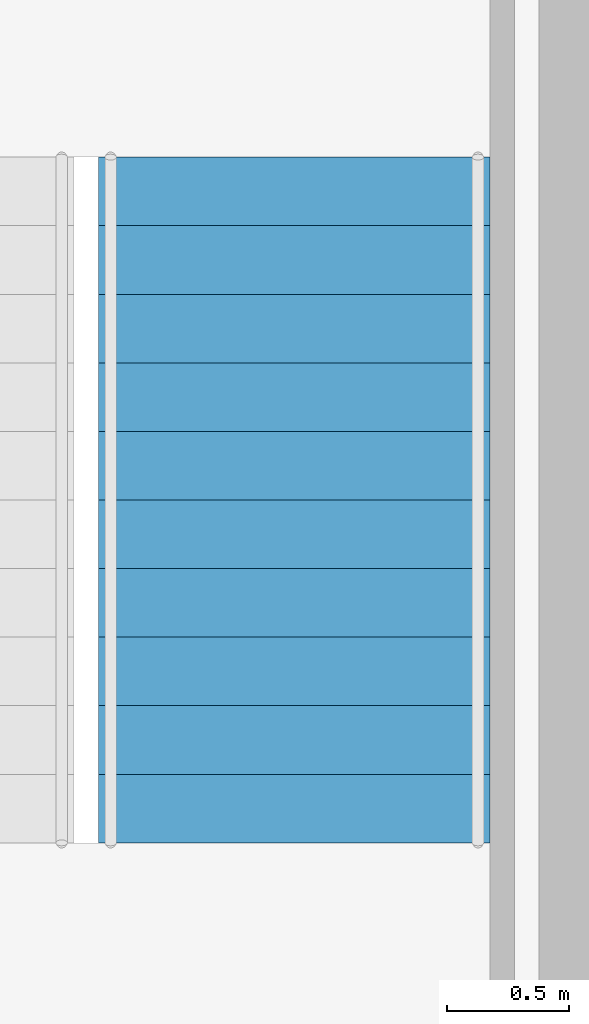
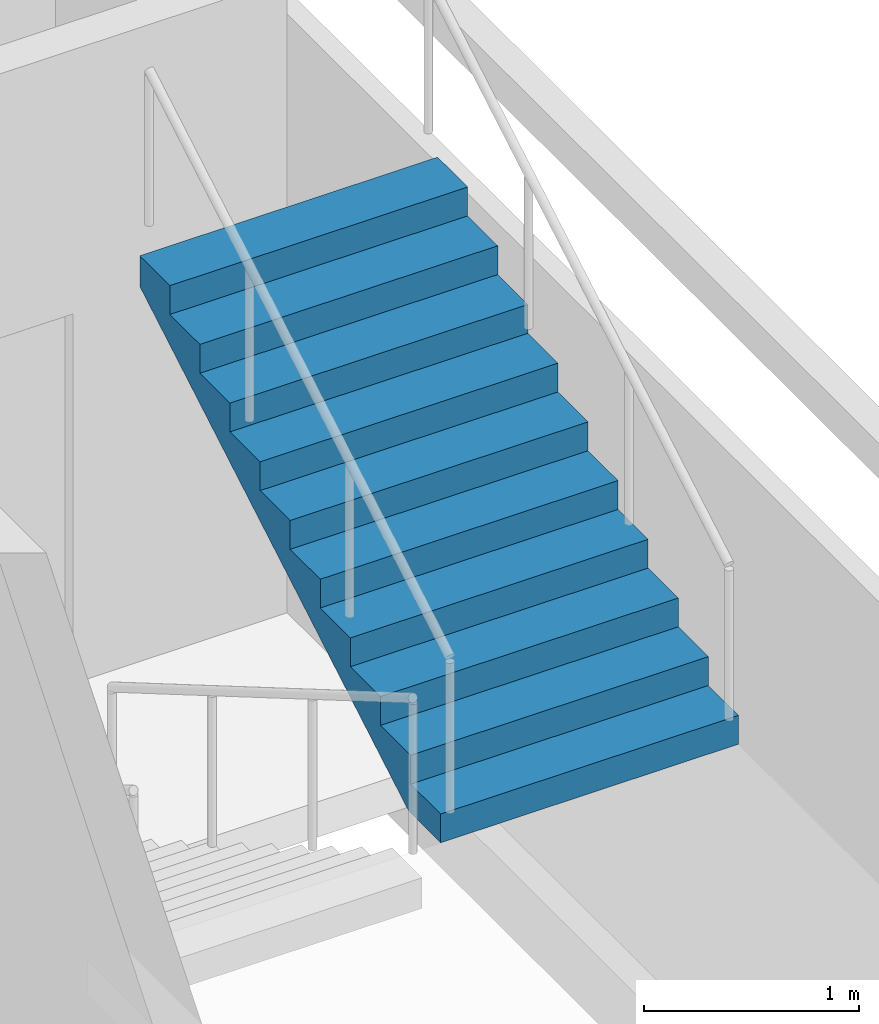
# One storey, part 10 of 11: 1 stair flight, 1 element without a shape of its own.
"""IFC4 building model written with IfcOpenShell, lengths in metres."""

from ifc_helpers import new_model, si_unit, direction, frame, origin, place, context, subcontext, project, spatial, polyline, outline, extrude, material, type_object, element, aggregate, save


model = new_model("IFC4")

# Units and contexts
model_context = context("Model", 3, precision=1e-05, world=origin(), true_north=direction((0.0, 1.0)))
body_context = subcontext(model_context, "Body", "Model", "MODEL_VIEW")
ifc_project = project(units=[si_unit("LENGTHUNIT", "METRE"), si_unit("AREAUNIT", "SQUARE_METRE"), si_unit("VOLUMEUNIT", "CUBIC_METRE"), si_unit("PLANEANGLEUNIT", "RADIAN"), si_unit("MASSUNIT", "GRAM", prefix="KILO")], contexts=[model_context])

# Site, building, storey
site_placement = place(None, origin())
site = spatial("IfcSite", under=ifc_project, at=site_placement, CompositionType="ELEMENT")
building_placement = place(site_placement, origin())
building = spatial("IfcBuilding", under=site, at=building_placement, Name="Lilac Gate Convention Centre", CompositionType="ELEMENT")
storey_placement = place(building_placement, frame((0.0, 0.0, 64.199951171875)))
storey = spatial("IfcBuildingStorey", under=building, at=storey_placement, Name="L16", CompositionType="ELEMENT", Elevation=64.199951171875)

# Stair, stair flight
ifc_material = material(Name="Concrete C40", Category="concrete")
stair_type = type_object("IfcStairType", Name="Exit stair", PredefinedType="DOUBLE_RETURN_STAIR", material=ifc_material)
stair_placement = place(storey_placement, origin())
stair = element("IfcStair", 1, at=stair_placement, inside=storey, type_object=stair_type, Name="Exit stair SE L16", PredefinedType="DOUBLE_RETURN_STAIR")
stair_flight_type = type_object("IfcStairFlightType", Name="Exit stair flight", PredefinedType="STRAIGHT", material=ifc_material)
stair_flight_placement = place(storey_placement, frame((88.699951171875, 225.300048828125, 1.800048828125), z_axis=(0.0, 0.0, 1.0), x_axis=(0.0, 1.0, 0.0)))
stair_flight = element("IfcStairFlight", 2, at=stair_flight_placement, type_object=stair_flight_type, Name="ST-SE flight 2", NumberOfRisers=11, NumberOfTreads=10, PredefinedType="STRAIGHT", RiserHeight=0.163636364, TreadLength=0.28, context=body_context, shape_type="SweptSolid", body=[
    extrude(outline(polyline([(0.0, 0.0), (0.0, 0.16357421875), (0.280029296875, 0.16357421875), (0.280029296875, 0.327392578125), (0.56005859375, 0.327392578125), (0.56005859375, 0.490966796875), (0.840087890625, 0.490966796875), (0.840087890625, 0.654541015625), (1.1201171875, 0.654541015625), (1.1201171875, 0.818115234375), (1.39990234375, 0.818115234375), (1.39990234375, 0.98193359375), (1.679931640625, 0.98193359375), (1.679931640625, 1.1455078125), (1.9599609375, 1.1455078125), (1.9599609375, 1.30908203125), (2.239990234375, 1.30908203125), (2.239990234375, 1.47265625), (2.52001953125, 1.47265625), (2.52001953125, 1.636474609375), (2.800048828125, 1.636474609375), (2.800048828125, 1.800048828125), (2.800048828125, 1.462646484375), (0.297119140625, 0.0), (0.0, 0.0)])), frame((0.0, 0.800048828125, 0.0), z_axis=(0.0, -1.0, 0.0), x_axis=(1.0, 0.0, 0.0)), (0.0, 0.0, 1.0), 1.60009765625),
])
aggregate(stair, [stair_flight])

save(model, "model.ifc")
